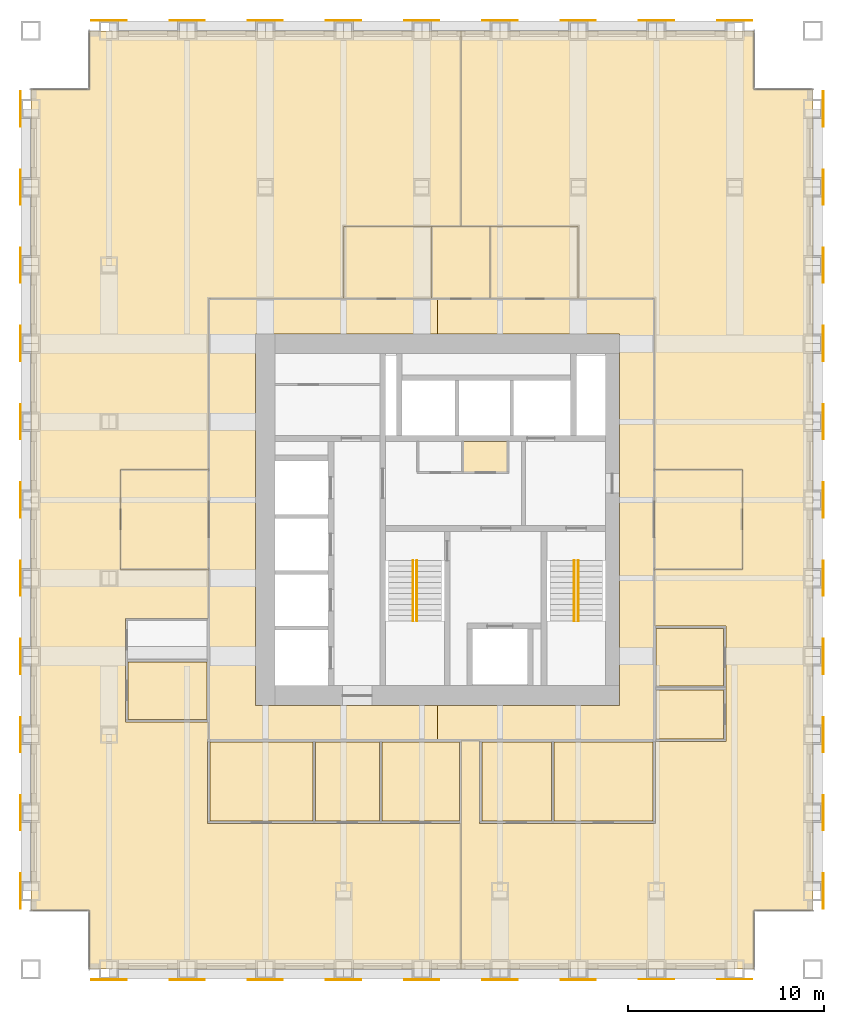
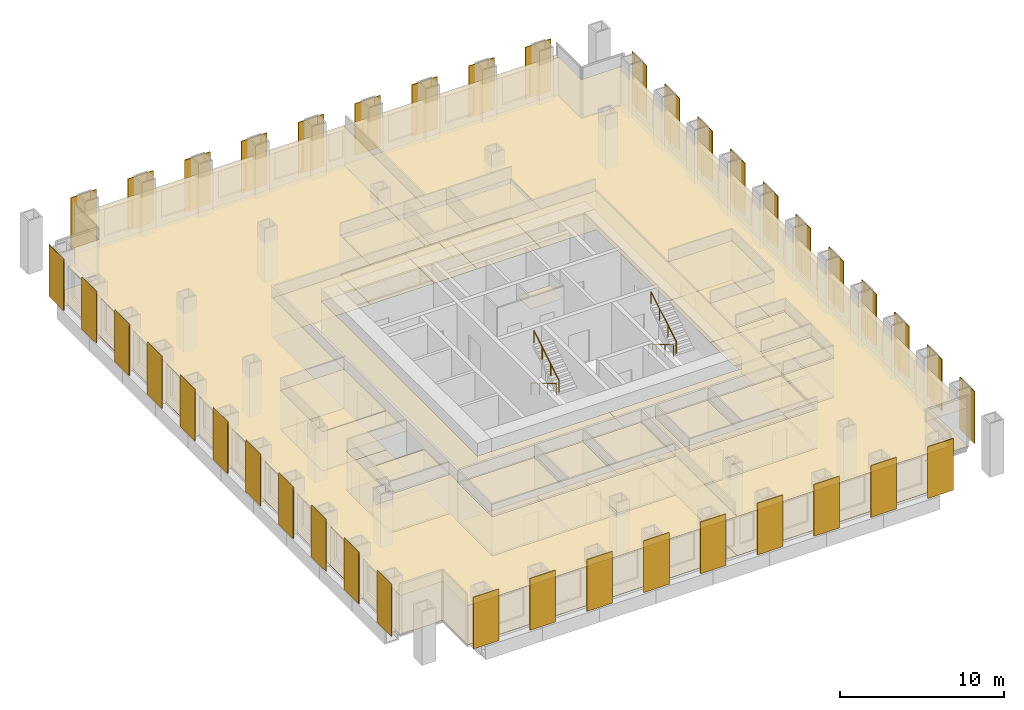
# One storey, part 12 of 12: 40 shading devices, 33 coverings, 4 railings.
"""IFC4 building model written with IfcOpenShell, lengths in metres."""

from ifc_helpers import new_model, si_unit, direction, frame, origin, origin_2d, place, context, subcontext, project, spatial, polyline, rectangle, circle, outline, extrude, material, layer, layer_set, type_object, element, save


model = new_model("IFC4")

# Units and contexts
model_context = context("Model", 3, precision=1e-05, world=origin(), true_north=direction((0.0, 1.0)))
body_context = subcontext(model_context, "Body", "Model", "MODEL_VIEW")
ifc_project = project(units=[si_unit("LENGTHUNIT", "METRE"), si_unit("AREAUNIT", "SQUARE_METRE"), si_unit("VOLUMEUNIT", "CUBIC_METRE"), si_unit("PLANEANGLEUNIT", "RADIAN"), si_unit("MASSUNIT", "GRAM", prefix="KILO")], contexts=[model_context])

# Site, building, storey
site_placement = place(None, origin())
site = spatial("IfcSite", under=ifc_project, at=site_placement, CompositionType="ELEMENT")
building_placement = place(site_placement, origin())
building = spatial("IfcBuilding", under=site, at=building_placement, Name="Rimbunsela Tower", CompositionType="ELEMENT")
storey_placement = place(building_placement, frame((0.0, 0.0, 155.800048828125)))
storey = spatial("IfcBuildingStorey", under=building, at=storey_placement, Name="L37", CompositionType="ELEMENT", Elevation=155.800048828125)

# Coverings
ifc_material_1 = material(Name="Nylon carpet tile", Category="textile")
ifc_layer_1 = layer(ifc_material_1, 0.010009765625)
ifc_layer_set_1 = layer_set([ifc_layer_1], Name="Carpet tile 10")
covering_type_1 = type_object("IfcCoveringType", Name="Carpet tile 10", PredefinedType="FLOORING", material=ifc_layer_set_1)
covering_1_placement = place(storey_placement, origin())
element("IfcCovering", 1, at=covering_1_placement, inside=storey, type_object=covering_type_1, Name="Floor finish Open office", PredefinedType="FLOORING", context=body_context, shape_type="SweptSolid", body=[
    extrude(outline(polyline([(20.550048828125, 11.449951171875), (23.85009765625, 11.449951171875), (23.949951171875, 11.449951171875), (27.9990234375, 11.449951171875), (27.9990234375, 4.0), (15.10009765625, 4.0), (9.0, 4.0), (9.0, 7.0), (6.0, 7.0), (6.0, 49.0), (9.0, 49.0), (9.0, 52.0), (15.10009765625, 52.0), (27.9990234375, 52.0), (27.9990234375, 42.0), (22.0, 42.0), (22.0, 38.300048828125), (15.10009765625, 38.300048828125), (15.10009765625, 29.550048828125), (10.60009765625, 29.550048828125), (10.60009765625, 24.449951171875), (15.10009765625, 24.449951171875), (15.10009765625, 21.949951171875), (10.85009765625, 21.949951171875), (10.85009765625, 19.85009765625), (10.85009765625, 19.75), (10.85009765625, 16.64990234375), (15.10009765625, 16.64990234375), (15.10009765625, 15.75), (15.050048828125, 15.75), (15.050048828125, 11.449951171875), (15.10009765625, 11.449951171875), (20.449951171875, 11.449951171875), (20.550048828125, 11.449951171875)])), origin(), (0.0, 0.0, 1.0), 0.010009765625),
])
covering_2_placement = place(storey_placement, origin())
element("IfcCovering", 2, at=covering_2_placement, inside=storey, type_object=covering_type_1, Name="Floor finish Open office", PredefinedType="FLOORING", context=body_context, shape_type="SweptSolid", body=[
    extrude(outline(polyline([(28.0009765625, 15.699951171875), (28.948974609375, 15.699951171875), (28.948974609375, 11.449951171875), (32.64892578125, 11.449951171875), (32.7490234375, 11.449951171875), (37.89990234375, 11.449951171875), (37.949951171875, 11.449951171875), (37.949951171875, 15.64990234375), (41.550048828125, 15.64990234375), (41.550048828125, 18.35009765625), (41.550048828125, 18.39990234375), (41.550048828125, 21.550048828125), (37.89990234375, 21.550048828125), (37.89990234375, 24.449951171875), (42.39990234375, 24.449951171875), (42.39990234375, 29.550048828125), (37.89990234375, 29.550048828125), (37.89990234375, 38.300048828125), (34.0, 38.300048828125), (34.0, 42.0), (28.0009765625, 42.0), (28.0009765625, 52.0), (37.89990234375, 52.0), (43.0, 52.0), (43.0, 49.0), (46.0, 49.0), (46.0, 7.0), (43.0, 7.0), (43.0, 4.0), (37.89990234375, 4.0), (28.0009765625, 4.0), (28.0009765625, 15.699951171875)])), origin(), (0.0, 0.0, 1.0), 0.010009765625),
])
covering_3_placement = place(storey_placement, origin())
element("IfcCovering", 3, at=covering_3_placement, inside=storey, type_object=covering_type_1, Name="Floor finish Reception", PredefinedType="FLOORING", context=body_context, shape_type="SweptSolid", body=[
    extrude(outline(polyline([(15.10009765625, 24.449951171875), (15.10009765625, 29.550048828125), (10.60009765625, 29.550048828125), (10.60009765625, 24.449951171875), (15.10009765625, 24.449951171875)])), origin(), (0.0, 0.0, 1.0), 0.010009765625),
])
covering_4_placement = place(storey_placement, origin())
element("IfcCovering", 4, at=covering_4_placement, inside=storey, type_object=covering_type_1, Name="Floor finish Reception", PredefinedType="FLOORING", context=body_context, shape_type="SweptSolid", body=[
    extrude(outline(polyline([(42.39990234375, 24.449951171875), (42.39990234375, 29.550048828125), (37.89990234375, 29.550048828125), (37.89990234375, 24.449951171875), (42.39990234375, 24.449951171875)])), origin(), (0.0, 0.0, 1.0), 0.010009765625),
])
covering_5_placement = place(storey_placement, origin())
element("IfcCovering", 5, at=covering_5_placement, inside=storey, type_object=covering_type_1, Name="Floor finish Meeting room", PredefinedType="FLOORING", context=body_context, shape_type="SweptSolid", body=[
    extrude(outline(polyline([(20.425048828125, 11.574951171875), (20.425048828125, 15.625), (15.175048828125, 15.625), (15.175048828125, 11.574951171875), (20.425048828125, 11.574951171875)])), origin(), (0.0, 0.0, 1.0), 0.010009765625),
])
covering_6_placement = place(storey_placement, origin())
element("IfcCovering", 6, at=covering_6_placement, inside=storey, type_object=covering_type_1, Name="Floor finish Pantry", PredefinedType="FLOORING", context=body_context, shape_type="SweptSolid", body=[
    extrude(outline(polyline([(23.824951171875, 11.574951171875), (23.824951171875, 15.625), (20.574951171875, 15.625), (20.574951171875, 11.574951171875), (23.824951171875, 11.574951171875)])), origin(), (0.0, 0.0, 1.0), 0.010009765625),
])
covering_7_placement = place(storey_placement, origin())
element("IfcCovering", 7, at=covering_7_placement, inside=storey, type_object=covering_type_1, Name="Floor finish Print and copy room", PredefinedType="FLOORING", context=body_context, shape_type="SweptSolid", body=[
    extrude(outline(polyline([(27.924072265625, 11.574951171875), (27.924072265625, 15.625), (23.97509765625, 15.625), (23.97509765625, 11.574951171875), (27.924072265625, 11.574951171875)])), origin(), (0.0, 0.0, 1.0), 0.010009765625),
])
covering_8_placement = place(storey_placement, origin())
element("IfcCovering", 8, at=covering_8_placement, inside=storey, type_object=covering_type_1, Name="Floor finish Office", PredefinedType="FLOORING", context=body_context, shape_type="SweptSolid", body=[
    extrude(outline(polyline([(15.02490234375, 16.77490234375), (15.02490234375, 19.72509765625), (10.97509765625, 19.72509765625), (10.97509765625, 16.77490234375), (15.02490234375, 16.77490234375)])), origin(), (0.0, 0.0, 1.0), 0.010009765625),
])
covering_9_placement = place(storey_placement, origin())
element("IfcCovering", 9, at=covering_9_placement, inside=storey, type_object=covering_type_1, Name="Floor finish Meeting room", PredefinedType="FLOORING", context=body_context, shape_type="SweptSolid", body=[
    extrude(outline(polyline([(32.6240234375, 11.574951171875), (32.6240234375, 15.625), (29.073974609375, 15.625), (29.073974609375, 11.574951171875), (32.6240234375, 11.574951171875)])), origin(), (0.0, 0.0, 1.0), 0.010009765625),
])
covering_10_placement = place(storey_placement, origin())
element("IfcCovering", 10, at=covering_10_placement, inside=storey, type_object=covering_type_1, Name="Floor finish Pantry", PredefinedType="FLOORING", context=body_context, shape_type="SweptSolid", body=[
    extrude(outline(polyline([(37.824951171875, 11.574951171875), (37.824951171875, 15.625), (32.77392578125, 15.625), (32.77392578125, 11.574951171875), (37.824951171875, 11.574951171875)])), origin(), (0.0, 0.0, 1.0), 0.010009765625),
])
covering_11_placement = place(storey_placement, origin())
element("IfcCovering", 11, at=covering_11_placement, inside=storey, type_object=covering_type_1, Name="Floor finish Print and copy room", PredefinedType="FLOORING", context=body_context, shape_type="SweptSolid", body=[
    extrude(outline(polyline([(41.425048828125, 15.77490234375), (41.425048828125, 18.27490234375), (37.97509765625, 18.27490234375), (37.97509765625, 15.77490234375), (41.425048828125, 15.77490234375)])), origin(), (0.0, 0.0, 1.0), 0.010009765625),
])
covering_12_placement = place(storey_placement, origin())
element("IfcCovering", 12, at=covering_12_placement, inside=storey, type_object=covering_type_1, Name="Floor finish Office", PredefinedType="FLOORING", context=body_context, shape_type="SweptSolid", body=[
    extrude(outline(polyline([(41.425048828125, 18.47509765625), (41.425048828125, 21.425048828125), (37.97509765625, 21.425048828125), (37.97509765625, 18.47509765625), (41.425048828125, 18.47509765625)])), origin(), (0.0, 0.0, 1.0), 0.010009765625),
])
ifc_material_2 = material(Name="Mineral fibre ceiling tile", Category="gypsum")
ifc_layer_2 = layer(ifc_material_2, 0.02001953125)
ifc_layer_set_2 = layer_set([ifc_layer_2], Name="Ceiling 600 grid")
covering_type_2 = type_object("IfcCoveringType", Name="Ceiling 600 grid", PredefinedType="CEILING", material=ifc_layer_set_2)
covering_13_placement = place(storey_placement, frame((0.0, 0.0, 2.89990234375)))
element("IfcCovering", 13, at=covering_13_placement, inside=storey, type_object=covering_type_2, Name="Ceiling IT room", PredefinedType="CEILING", context=body_context, shape_type="SweptSolid", body=[
    extrude(outline(polyline([(30.39990234375, 29.39990234375), (30.39990234375, 31.0), (28.10009765625, 31.0), (28.10009765625, 29.39990234375), (30.39990234375, 29.39990234375)])), origin(), (0.0, 0.0, 1.0), 0.02001953125),
])
covering_14_placement = place(storey_placement, frame((0.0, 0.0, 2.89990234375)))
element("IfcCovering", 14, at=covering_14_placement, inside=storey, type_object=covering_type_2, Name="Ceiling Ring corridor", PredefinedType="CEILING", context=body_context, shape_type="SweptSolid", body=[
    extrude(outline(polyline([(15.10009765625, 38.300048828125), (26.800048828125, 38.300048828125), (26.800048828125, 36.5), (17.5, 36.5), (17.5, 17.5), (26.800048828125, 17.5), (26.800048828125, 15.699951171875), (15.10009765625, 15.699951171875), (15.10009765625, 38.300048828125)])), origin(), (0.0, 0.0, 1.0), 0.02001953125),
])
covering_15_placement = place(storey_placement, frame((0.0, 0.0, 2.89990234375)))
element("IfcCovering", 15, at=covering_15_placement, inside=storey, type_object=covering_type_2, Name="Ceiling Ring corridor", PredefinedType="CEILING", context=body_context, shape_type="SweptSolid", body=[
    extrude(outline(polyline([(37.89990234375, 38.300048828125), (37.89990234375, 15.699951171875), (26.800048828125, 15.699951171875), (26.800048828125, 17.5), (36.10009765625, 17.5), (36.10009765625, 36.5), (26.800048828125, 36.5), (26.800048828125, 38.300048828125), (37.89990234375, 38.300048828125)])), origin(), (0.0, 0.0, 1.0), 0.02001953125),
])
covering_16_placement = place(storey_placement, frame((0.0, 0.0, 2.89990234375)))
element("IfcCovering", 16, at=covering_16_placement, inside=storey, type_object=covering_type_2, Name="Ceiling Open office", PredefinedType="CEILING", context=body_context, shape_type="SweptSolid", body=[
    extrude(outline(polyline([(20.550048828125, 11.449951171875), (23.85009765625, 11.449951171875), (23.949951171875, 11.449951171875), (27.9990234375, 11.449951171875), (27.9990234375, 4.0), (15.10009765625, 4.0), (9.0, 4.0), (9.0, 7.0), (6.0, 7.0), (6.0, 49.0), (9.0, 49.0), (9.0, 52.0), (15.10009765625, 52.0), (27.9990234375, 52.0), (27.9990234375, 42.0), (22.0, 42.0), (22.0, 38.300048828125), (15.10009765625, 38.300048828125), (15.10009765625, 29.550048828125), (10.60009765625, 29.550048828125), (10.60009765625, 24.449951171875), (15.10009765625, 24.449951171875), (15.10009765625, 21.949951171875), (10.85009765625, 21.949951171875), (10.85009765625, 19.85009765625), (10.85009765625, 19.75), (10.85009765625, 16.64990234375), (15.10009765625, 16.64990234375), (15.10009765625, 15.75), (15.050048828125, 15.75), (15.050048828125, 11.449951171875), (15.10009765625, 11.449951171875), (20.449951171875, 11.449951171875), (20.550048828125, 11.449951171875)])), origin(), (0.0, 0.0, 1.0), 0.02001953125),
])
covering_17_placement = place(storey_placement, frame((0.0, 0.0, 2.89990234375)))
element("IfcCovering", 17, at=covering_17_placement, inside=storey, type_object=covering_type_2, Name="Ceiling Open office", PredefinedType="CEILING", context=body_context, shape_type="SweptSolid", body=[
    extrude(outline(polyline([(28.0009765625, 15.699951171875), (28.948974609375, 15.699951171875), (28.948974609375, 11.449951171875), (32.64892578125, 11.449951171875), (32.7490234375, 11.449951171875), (37.89990234375, 11.449951171875), (37.949951171875, 11.449951171875), (37.949951171875, 15.64990234375), (41.550048828125, 15.64990234375), (41.550048828125, 18.35009765625), (41.550048828125, 18.39990234375), (41.550048828125, 21.550048828125), (37.89990234375, 21.550048828125), (37.89990234375, 24.449951171875), (42.39990234375, 24.449951171875), (42.39990234375, 29.550048828125), (37.89990234375, 29.550048828125), (37.89990234375, 38.300048828125), (34.0, 38.300048828125), (34.0, 42.0), (28.0009765625, 42.0), (28.0009765625, 52.0), (37.89990234375, 52.0), (43.0, 52.0), (43.0, 49.0), (46.0, 49.0), (46.0, 7.0), (43.0, 7.0), (43.0, 4.0), (37.89990234375, 4.0), (28.0009765625, 4.0), (28.0009765625, 15.699951171875)])), origin(), (0.0, 0.0, 1.0), 0.02001953125),
])
covering_18_placement = place(storey_placement, frame((0.0, 0.0, 2.89990234375)))
element("IfcCovering", 18, at=covering_18_placement, inside=storey, type_object=covering_type_2, Name="Ceiling Reception", PredefinedType="CEILING", context=body_context, shape_type="SweptSolid", body=[
    extrude(outline(polyline([(15.10009765625, 24.449951171875), (15.10009765625, 29.550048828125), (10.60009765625, 29.550048828125), (10.60009765625, 24.449951171875), (15.10009765625, 24.449951171875)])), origin(), (0.0, 0.0, 1.0), 0.02001953125),
])
covering_19_placement = place(storey_placement, frame((0.0, 0.0, 2.89990234375)))
element("IfcCovering", 19, at=covering_19_placement, inside=storey, type_object=covering_type_2, Name="Ceiling Reception", PredefinedType="CEILING", context=body_context, shape_type="SweptSolid", body=[
    extrude(outline(polyline([(42.39990234375, 24.449951171875), (42.39990234375, 29.550048828125), (37.89990234375, 29.550048828125), (37.89990234375, 24.449951171875), (42.39990234375, 24.449951171875)])), origin(), (0.0, 0.0, 1.0), 0.02001953125),
])
covering_20_placement = place(storey_placement, frame((0.0, 0.0, 2.89990234375)))
element("IfcCovering", 20, at=covering_20_placement, inside=storey, type_object=covering_type_2, Name="Ceiling Meeting room", PredefinedType="CEILING", context=body_context, shape_type="SweptSolid", body=[
    extrude(outline(polyline([(20.425048828125, 11.574951171875), (20.425048828125, 15.625), (15.175048828125, 15.625), (15.175048828125, 11.574951171875), (20.425048828125, 11.574951171875)])), origin(), (0.0, 0.0, 1.0), 0.02001953125),
])
covering_21_placement = place(storey_placement, frame((0.0, 0.0, 2.89990234375)))
element("IfcCovering", 21, at=covering_21_placement, inside=storey, type_object=covering_type_2, Name="Ceiling Pantry", PredefinedType="CEILING", context=body_context, shape_type="SweptSolid", body=[
    extrude(outline(polyline([(23.824951171875, 11.574951171875), (23.824951171875, 15.625), (20.574951171875, 15.625), (20.574951171875, 11.574951171875), (23.824951171875, 11.574951171875)])), origin(), (0.0, 0.0, 1.0), 0.02001953125),
])
covering_22_placement = place(storey_placement, frame((0.0, 0.0, 2.89990234375)))
element("IfcCovering", 22, at=covering_22_placement, inside=storey, type_object=covering_type_2, Name="Ceiling Print and copy room", PredefinedType="CEILING", context=body_context, shape_type="SweptSolid", body=[
    extrude(outline(polyline([(27.924072265625, 11.574951171875), (27.924072265625, 15.625), (23.97509765625, 15.625), (23.97509765625, 11.574951171875), (27.924072265625, 11.574951171875)])), origin(), (0.0, 0.0, 1.0), 0.02001953125),
])
covering_23_placement = place(storey_placement, frame((0.0, 0.0, 2.89990234375)))
element("IfcCovering", 23, at=covering_23_placement, inside=storey, type_object=covering_type_2, Name="Ceiling Office", PredefinedType="CEILING", context=body_context, shape_type="SweptSolid", body=[
    extrude(outline(polyline([(15.02490234375, 16.77490234375), (15.02490234375, 19.72509765625), (10.97509765625, 19.72509765625), (10.97509765625, 16.77490234375), (15.02490234375, 16.77490234375)])), origin(), (0.0, 0.0, 1.0), 0.02001953125),
])
covering_24_placement = place(storey_placement, frame((0.0, 0.0, 2.89990234375)))
element("IfcCovering", 24, at=covering_24_placement, inside=storey, type_object=covering_type_2, Name="Ceiling Meeting room", PredefinedType="CEILING", context=body_context, shape_type="SweptSolid", body=[
    extrude(outline(polyline([(32.6240234375, 11.574951171875), (32.6240234375, 15.625), (29.073974609375, 15.625), (29.073974609375, 11.574951171875), (32.6240234375, 11.574951171875)])), origin(), (0.0, 0.0, 1.0), 0.02001953125),
])
covering_25_placement = place(storey_placement, frame((0.0, 0.0, 2.89990234375)))
element("IfcCovering", 25, at=covering_25_placement, inside=storey, type_object=covering_type_2, Name="Ceiling Pantry", PredefinedType="CEILING", context=body_context, shape_type="SweptSolid", body=[
    extrude(outline(polyline([(37.824951171875, 11.574951171875), (37.824951171875, 15.625), (32.77392578125, 15.625), (32.77392578125, 11.574951171875), (37.824951171875, 11.574951171875)])), origin(), (0.0, 0.0, 1.0), 0.02001953125),
])
covering_26_placement = place(storey_placement, frame((0.0, 0.0, 2.89990234375)))
element("IfcCovering", 26, at=covering_26_placement, inside=storey, type_object=covering_type_2, Name="Ceiling Print and copy room", PredefinedType="CEILING", context=body_context, shape_type="SweptSolid", body=[
    extrude(outline(polyline([(41.425048828125, 15.77490234375), (41.425048828125, 18.27490234375), (37.97509765625, 18.27490234375), (37.97509765625, 15.77490234375), (41.425048828125, 15.77490234375)])), origin(), (0.0, 0.0, 1.0), 0.02001953125),
])
covering_27_placement = place(storey_placement, frame((0.0, 0.0, 2.89990234375)))
element("IfcCovering", 27, at=covering_27_placement, inside=storey, type_object=covering_type_2, Name="Ceiling Office", PredefinedType="CEILING", context=body_context, shape_type="SweptSolid", body=[
    extrude(outline(polyline([(41.425048828125, 18.47509765625), (41.425048828125, 21.425048828125), (37.97509765625, 21.425048828125), (37.97509765625, 18.47509765625), (41.425048828125, 18.47509765625)])), origin(), (0.0, 0.0, 1.0), 0.02001953125),
])
ifc_material_3 = material(Name="Moisture-resistant plasterboard ceiling", Category="gypsum")
ifc_layer_3 = layer(ifc_material_3, 0.012451171875)
ifc_layer_set_3 = layer_set([ifc_layer_3], Name="Ceiling moisture-resistant board")
covering_type_3 = type_object("IfcCoveringType", Name="Ceiling moisture-resistant board", PredefinedType="CEILING", material=ifc_layer_set_3)
covering_28_placement = place(storey_placement, frame((0.0, 0.0, 2.599853515625)))
element("IfcCovering", 28, at=covering_28_placement, inside=storey, type_object=covering_type_3, Name="Ceiling Female WC", PredefinedType="CEILING", context=body_context, shape_type="SweptSolid", body=[
    extrude(outline(polyline([(26.5, 38.300048828125), (26.5, 42.0), (22.0, 42.0), (22.0, 38.300048828125), (26.5, 38.300048828125)])), origin(), (0.0, 0.0, 1.0), 0.02001953125),
])
covering_29_placement = place(storey_placement, frame((0.0, 0.0, 2.599853515625)))
element("IfcCovering", 29, at=covering_29_placement, inside=storey, type_object=covering_type_3, Name="Ceiling Accessible WC", PredefinedType="CEILING", context=body_context, shape_type="SweptSolid", body=[
    extrude(outline(polyline([(29.5, 38.300048828125), (29.5, 42.0), (26.5, 42.0), (26.5, 38.300048828125), (29.5, 38.300048828125)])), origin(), (0.0, 0.0, 1.0), 0.02001953125),
])
covering_30_placement = place(storey_placement, frame((0.0, 0.0, 2.599853515625)))
element("IfcCovering", 30, at=covering_30_placement, inside=storey, type_object=covering_type_3, Name="Ceiling Male WC", PredefinedType="CEILING", context=body_context, shape_type="SweptSolid", body=[
    extrude(outline(polyline([(34.0, 38.300048828125), (34.0, 42.0), (29.5, 42.0), (29.5, 38.300048828125), (34.0, 38.300048828125)])), origin(), (0.0, 0.0, 1.0), 0.02001953125),
])
ifc_material_4 = material(Name="Porcelain floor tile in adhesive bed", Category="ceramic")
ifc_layer_4 = layer(ifc_material_4, 0.02001953125)
ifc_layer_set_4 = layer_set([ifc_layer_4], Name="Porcelain tile 20")
covering_type_4 = type_object("IfcCoveringType", Name="Porcelain tile 20", PredefinedType="FLOORING", material=ifc_layer_set_4)
covering_31_placement = place(storey_placement, origin())
element("IfcCovering", 31, at=covering_31_placement, inside=storey, type_object=covering_type_4, Name="Floor finish Female WC", PredefinedType="FLOORING", context=body_context, shape_type="SweptSolid", body=[
    extrude(outline(polyline([(26.5, 38.300048828125), (26.5, 42.0), (22.0, 42.0), (22.0, 38.300048828125), (26.5, 38.300048828125)])), origin(), (0.0, 0.0, 1.0), 0.02001953125),
])
covering_32_placement = place(storey_placement, origin())
element("IfcCovering", 32, at=covering_32_placement, inside=storey, type_object=covering_type_4, Name="Floor finish Accessible WC", PredefinedType="FLOORING", context=body_context, shape_type="SweptSolid", body=[
    extrude(outline(polyline([(29.5, 38.300048828125), (29.5, 42.0), (26.5, 42.0), (26.5, 38.300048828125), (29.5, 38.300048828125)])), origin(), (0.0, 0.0, 1.0), 0.02001953125),
])
covering_33_placement = place(storey_placement, origin())
element("IfcCovering", 33, at=covering_33_placement, inside=storey, type_object=covering_type_4, Name="Floor finish Male WC", PredefinedType="FLOORING", context=body_context, shape_type="SweptSolid", body=[
    extrude(outline(polyline([(34.0, 38.300048828125), (34.0, 42.0), (29.5, 42.0), (29.5, 38.300048828125), (34.0, 38.300048828125)])), origin(), (0.0, 0.0, 1.0), 0.02001953125),
])

# Shading devices
ifc_material_5 = material(Name="Perforated aluminium, 35 % open area", Category="aluminium")
ifc_layer_5 = layer(ifc_material_5, 0.050048828125)
ifc_layer_set_5 = layer_set([ifc_layer_5], Name="Solar screen panel 1800")
shading_device_type = type_object("IfcShadingDeviceType", Name="Solar screen panel 1800", PredefinedType="USERDEFINED", material=ifc_layer_set_5)
for number, where, z_axis, x_axis, name in (
    (34, (10.0, 3.47509765625, 0.0), (0.0, 0.0, 1.0), (1.0, 0.0, 0.0), "Solar screen S L37"),
    (35, (14.0, 3.47509765625, 0.0), (0.0, 0.0, 1.0), (1.0, 0.0, 0.0), "Solar screen S L37"),
    (36, (18.0, 3.47509765625, 0.0), (0.0, 0.0, 1.0), (1.0, 0.0, 0.0), "Solar screen S L37"),
    (37, (22.0, 3.47509765625, 0.0), (0.0, 0.0, 1.0), (1.0, 0.0, 0.0), "Solar screen S L37"),
    (38, (26.0, 3.47509765625, 0.0), (0.0, 0.0, 1.0), (1.0, 0.0, 0.0), "Solar screen S L37"),
    (39, (30.0, 3.47509765625, 0.0), (0.0, 0.0, 1.0), (1.0, 0.0, 0.0), "Solar screen S L37"),
    (40, (34.0, 3.47509765625, 0.0), (0.0, 0.0, 1.0), (1.0, 0.0, 0.0), "Solar screen S L37"),
    (41, (38.0, 3.47509765625, 0.0), (0.0, 0.0, 1.0), (1.0, 0.0, 0.0), "Solar screen S L37"),
    (42, (42.0, 3.47509765625, 0.0), (0.0, 0.0, 1.0), (1.0, 0.0, 0.0), "Solar screen S L37"),
    (43, (46.52490234375, 8.0, 0.0), (0.0, 0.0, 1.0), (0.0, 1.0, 0.0), "Solar screen E L37"),
    (44, (46.52490234375, 12.0, 0.0), (0.0, 0.0, 1.0), (0.0, 1.0, 0.0), "Solar screen E L37"),
    (45, (46.52490234375, 16.0, 0.0), (0.0, 0.0, 1.0), (0.0, 1.0, 0.0), "Solar screen E L37"),
    (46, (46.52490234375, 20.0, 0.0), (0.0, 0.0, 1.0), (0.0, 1.0, 0.0), "Solar screen E L37"),
    (47, (46.52490234375, 24.0, 0.0), (0.0, 0.0, 1.0), (0.0, 1.0, 0.0), "Solar screen E L37"),
    (48, (46.52490234375, 28.0, 0.0), (0.0, 0.0, 1.0), (0.0, 1.0, 0.0), "Solar screen E L37"),
    (49, (46.52490234375, 32.0, 0.0), (0.0, 0.0, 1.0), (0.0, 1.0, 0.0), "Solar screen E L37"),
    (50, (46.52490234375, 36.0, 0.0), (0.0, 0.0, 1.0), (0.0, 1.0, 0.0), "Solar screen E L37"),
    (51, (46.52490234375, 40.0, 0.0), (0.0, 0.0, 1.0), (0.0, 1.0, 0.0), "Solar screen E L37"),
    (52, (46.52490234375, 44.0, 0.0), (0.0, 0.0, 1.0), (0.0, 1.0, 0.0), "Solar screen E L37"),
    (53, (46.52490234375, 48.0, 0.0), (0.0, 0.0, 1.0), (0.0, 1.0, 0.0), "Solar screen E L37"),
    (54, (10.0, 52.52490234375, 0.0), (0.0, 0.0, 1.0), (1.0, 0.0, 0.0), "Solar screen N L37"),
    (55, (14.0, 52.52490234375, 0.0), (0.0, 0.0, 1.0), (1.0, 0.0, 0.0), "Solar screen N L37"),
    (56, (18.0, 52.52490234375, 0.0), (0.0, 0.0, 1.0), (1.0, 0.0, 0.0), "Solar screen N L37"),
    (57, (22.0, 52.52490234375, 0.0), (0.0, 0.0, 1.0), (1.0, 0.0, 0.0), "Solar screen N L37"),
    (58, (26.0, 52.52490234375, 0.0), (0.0, 0.0, 1.0), (1.0, 0.0, 0.0), "Solar screen N L37"),
    (59, (30.0, 52.52490234375, 0.0), (0.0, 0.0, 1.0), (1.0, 0.0, 0.0), "Solar screen N L37"),
    (60, (34.0, 52.52490234375, 0.0), (0.0, 0.0, 1.0), (1.0, 0.0, 0.0), "Solar screen N L37"),
    (61, (38.0, 52.52490234375, 0.0), (0.0, 0.0, 1.0), (1.0, 0.0, 0.0), "Solar screen N L37"),
    (62, (42.0, 52.52490234375, 0.0), (0.0, 0.0, 1.0), (1.0, 0.0, 0.0), "Solar screen N L37"),
    (63, (5.47509765625, 8.0, 0.0), (0.0, 0.0, 1.0), (0.0, 1.0, 0.0), "Solar screen W L37"),
    (64, (5.47509765625, 12.0, 0.0), (0.0, 0.0, 1.0), (0.0, 1.0, 0.0), "Solar screen W L37"),
    (65, (5.47509765625, 16.0, 0.0), (0.0, 0.0, 1.0), (0.0, 1.0, 0.0), "Solar screen W L37"),
    (66, (5.47509765625, 20.0, 0.0), (0.0, 0.0, 1.0), (0.0, 1.0, 0.0), "Solar screen W L37"),
    (67, (5.47509765625, 24.0, 0.0), (0.0, 0.0, 1.0), (0.0, 1.0, 0.0), "Solar screen W L37"),
    (68, (5.47509765625, 28.0, 0.0), (0.0, 0.0, 1.0), (0.0, 1.0, 0.0), "Solar screen W L37"),
    (69, (5.47509765625, 32.0, 0.0), (0.0, 0.0, 1.0), (0.0, 1.0, 0.0), "Solar screen W L37"),
    (70, (5.47509765625, 36.0, 0.0), (0.0, 0.0, 1.0), (0.0, 1.0, 0.0), "Solar screen W L37"),
    (71, (5.47509765625, 40.0, 0.0), (0.0, 0.0, 1.0), (0.0, 1.0, 0.0), "Solar screen W L37"),
    (72, (5.47509765625, 44.0, 0.0), (0.0, 0.0, 1.0), (0.0, 1.0, 0.0), "Solar screen W L37"),
    (73, (5.47509765625, 48.0, 0.0), (0.0, 0.0, 1.0), (0.0, 1.0, 0.0), "Solar screen W L37"),
):
    element("IfcShadingDevice", number, at=place(storey_placement, frame(where, z_axis=z_axis, x_axis=x_axis)), inside=storey, type_object=shading_device_type, Name=name, ObjectType="SCREEN", PredefinedType="USERDEFINED", context=body_context, shape_type="SweptSolid", body=[
        extrude(rectangle(XDim=1.800048828125, YDim=0.050048828125, at=origin_2d()), origin(), (0.0, 0.0, 1.0), 3.85009765625),
    ])

# Railings
ifc_material_6 = material(Name="Stainless steel tube", Category="steel")
railing_type = type_object("IfcRailingType", Name="Stair handrail 900", PredefinedType="HANDRAIL", material=ifc_material_6)
railing_1_placement = place(storey_placement, frame((25.550048828125, 24.89990234375, 0.16650390625)))
element("IfcRailing", 74, at=railing_1_placement, inside=storey, type_object=railing_type, Name="Handrail ST-A flight 1", PredefinedType="HANDRAIL", context=body_context, shape_type="SweptSolid", body=[
    extrude(circle(Radius=0.02392578125, at=origin_2d()), frame((0.0, 0.0, 0.8759765625), z_axis=(0.0, -0.859260807169, 0.511537745687), x_axis=(1.0, 0.0, 0.0)), (0.0, 0.0, 1.0), 3.584228515625),
    extrude(circle(Radius=0.02099609375, at=origin_2d()), origin(), (0.0, 0.0, 1.0), 0.851806640625),
    extrude(circle(Radius=0.02099609375, at=origin_2d()), frame((0.0, -1.026611328125, 0.611083984375)), (0.0, 0.0, 1.0), 0.851806640625),
    extrude(circle(Radius=0.02099609375, at=origin_2d()), frame((0.0, -2.05322265625, 1.222412109375)), (0.0, 0.0, 1.0), 0.851806640625),
    extrude(circle(Radius=0.02099609375, at=origin_2d()), frame((0.0, -3.079833984375, 1.83349609375)), (0.0, 0.0, 1.0), 0.851806640625),
])
railing_2_placement = place(storey_placement, frame((25.75, 21.820068359375, 2.16650390625)))
element("IfcRailing", 75, at=railing_2_placement, inside=storey, type_object=railing_type, Name="Handrail ST-A flight 2", PredefinedType="HANDRAIL", context=body_context, shape_type="SweptSolid", body=[
    extrude(circle(Radius=0.02392578125, at=origin_2d()), frame((0.0, 0.0, 0.8759765625), z_axis=(0.0, 0.859260807169, 0.511537745687), x_axis=(-1.0, 0.0, 0.0)), (0.0, 0.0, 1.0), 3.584228515625),
    extrude(circle(Radius=0.02099609375, at=origin_2d()), origin(), (0.0, 0.0, 1.0), 0.851806640625),
    extrude(circle(Radius=0.02099609375, at=origin_2d()), frame((0.0, 1.026611328125, 0.611083984375)), (0.0, 0.0, 1.0), 0.851806640625),
    extrude(circle(Radius=0.02099609375, at=origin_2d()), frame((0.0, 2.05322265625, 1.222412109375)), (0.0, 0.0, 1.0), 0.851806640625),
    extrude(circle(Radius=0.02099609375, at=origin_2d()), frame((0.0, 3.079833984375, 1.83349609375)), (0.0, 0.0, 1.0), 0.851806640625),
])
railing_3_placement = place(storey_placement, frame((33.800048828125, 24.89990234375, 0.16650390625)))
element("IfcRailing", 76, at=railing_3_placement, inside=storey, type_object=railing_type, Name="Handrail ST-B flight 1", PredefinedType="HANDRAIL", context=body_context, shape_type="SweptSolid", body=[
    extrude(circle(Radius=0.02392578125, at=origin_2d()), frame((0.0, 0.0, 0.8759765625), z_axis=(0.0, -0.859260807169, 0.511537745687), x_axis=(1.0, 0.0, 0.0)), (0.0, 0.0, 1.0), 3.584228515625),
    extrude(circle(Radius=0.02099609375, at=origin_2d()), origin(), (0.0, 0.0, 1.0), 0.851806640625),
    extrude(circle(Radius=0.02099609375, at=origin_2d()), frame((0.0, -1.026611328125, 0.611083984375)), (0.0, 0.0, 1.0), 0.851806640625),
    extrude(circle(Radius=0.02099609375, at=origin_2d()), frame((0.0, -2.05322265625, 1.222412109375)), (0.0, 0.0, 1.0), 0.851806640625),
    extrude(circle(Radius=0.02099609375, at=origin_2d()), frame((0.0, -3.079833984375, 1.83349609375)), (0.0, 0.0, 1.0), 0.851806640625),
])
railing_4_placement = place(storey_placement, frame((34.0, 21.820068359375, 2.16650390625)))
element("IfcRailing", 77, at=railing_4_placement, inside=storey, type_object=railing_type, Name="Handrail ST-B flight 2", PredefinedType="HANDRAIL", context=body_context, shape_type="SweptSolid", body=[
    extrude(circle(Radius=0.02392578125, at=origin_2d()), frame((0.0, 0.0, 0.8759765625), z_axis=(0.0, 0.859260807169, 0.511537745687), x_axis=(-1.0, 0.0, 0.0)), (0.0, 0.0, 1.0), 3.584228515625),
    extrude(circle(Radius=0.02099609375, at=origin_2d()), origin(), (0.0, 0.0, 1.0), 0.851806640625),
    extrude(circle(Radius=0.02099609375, at=origin_2d()), frame((0.0, 1.026611328125, 0.611083984375)), (0.0, 0.0, 1.0), 0.851806640625),
    extrude(circle(Radius=0.02099609375, at=origin_2d()), frame((0.0, 2.05322265625, 1.222412109375)), (0.0, 0.0, 1.0), 0.851806640625),
    extrude(circle(Radius=0.02099609375, at=origin_2d()), frame((0.0, 3.079833984375, 1.83349609375)), (0.0, 0.0, 1.0), 0.851806640625),
])

save(model, "model.ifc")
